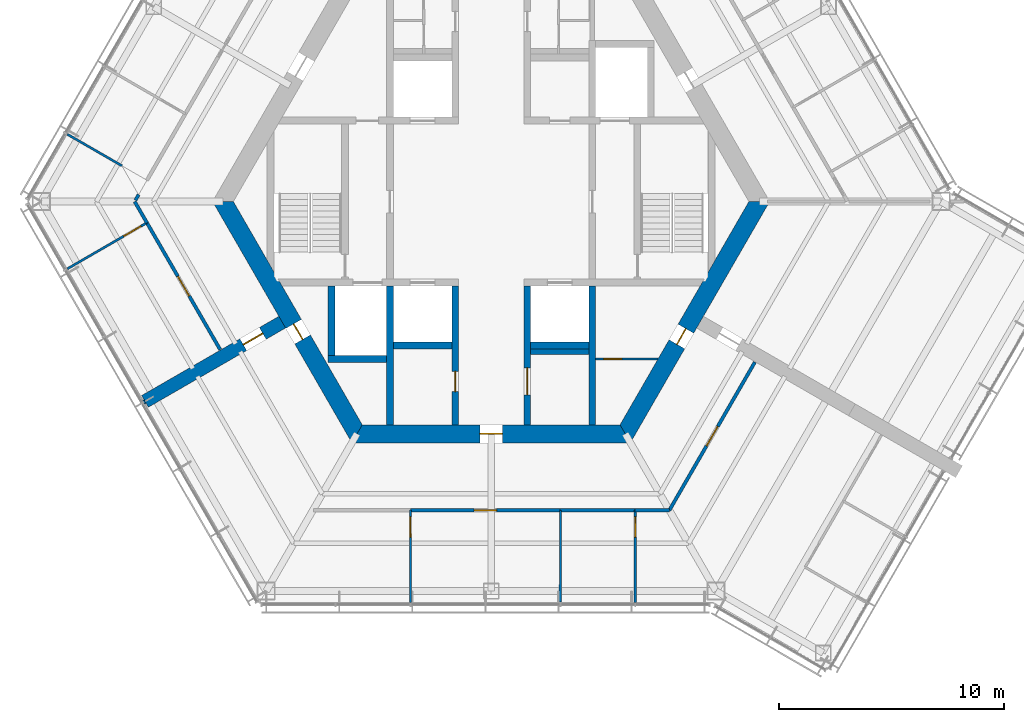
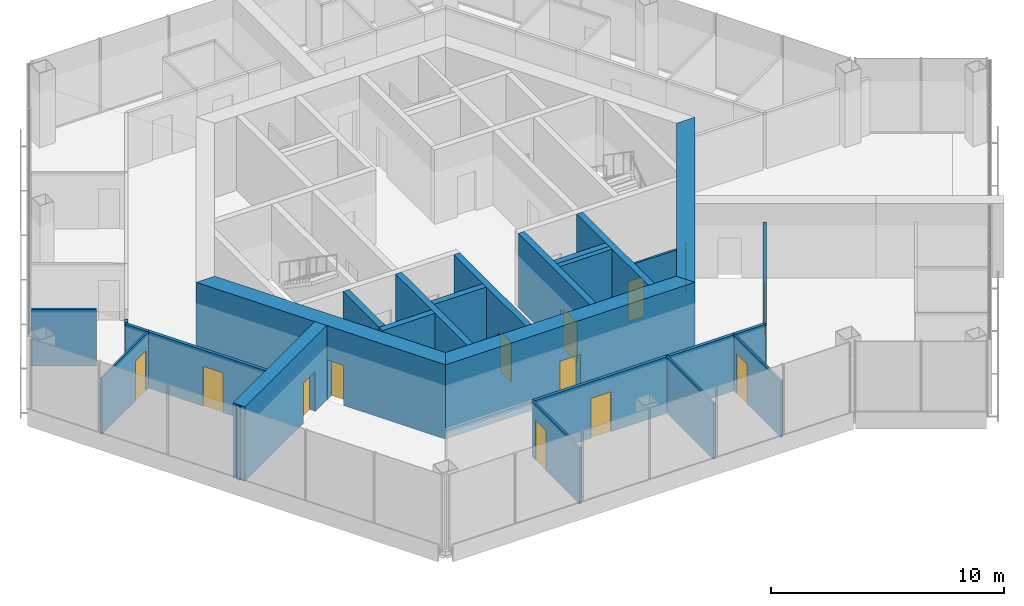
# One storey, part 7 of 13: 27 walls, 13 doors, 13 openings.
"""IFC4 building model written with IfcOpenShell, lengths in metres."""

from ifc_helpers import new_model, si_unit, direction, frame, frame_2d, origin, place, context, subcontext, project, spatial, polyline, rectangle, outline, extrude, material, layer, layer_set, type_object, element, fill, save


model = new_model("IFC4")

# Units and contexts
model_context = context("Model", 3, precision=1e-05, world=origin(), true_north=direction((0.0, 1.0)))
body_context = subcontext(model_context, "Body", "Model", "MODEL_VIEW")
ifc_project = project(units=[si_unit("LENGTHUNIT", "METRE"), si_unit("AREAUNIT", "SQUARE_METRE"), si_unit("VOLUMEUNIT", "CUBIC_METRE"), si_unit("PLANEANGLEUNIT", "RADIAN"), si_unit("MASSUNIT", "GRAM", prefix="KILO")], contexts=[model_context])

# Site, building, storey
site_placement = place(None, origin())
site = spatial("IfcSite", under=ifc_project, at=site_placement, CompositionType="ELEMENT")
building_placement = place(site_placement, origin())
building = spatial("IfcBuilding", under=site, at=building_placement, Name="Kasaneha Research Tower", CompositionType="ELEMENT")
storey_placement = place(building_placement, frame((0.0, 0.0, 275.199951171875)))
storey = spatial("IfcBuildingStorey", under=building, at=storey_placement, Name="L69", CompositionType="ELEMENT", Elevation=275.199951171875)

# Wall, opening, door
ifc_material_1 = material(Name="Concrete Fc60", Category="concrete")
ifc_layer_1 = layer(ifc_material_1, 0.300048828125)
ifc_layer_set_1 = layer_set([ifc_layer_1], Name="Core internal wall 300 Fc60")
wall_type_1 = type_object("IfcWallType", Name="Core internal wall 300 Fc60", PredefinedType="SHEAR", material=ifc_layer_set_1)
wall_1_placement = place(storey_placement, frame((-1.60009765625, -3.75, 0.0), z_axis=(0.0, 0.0, 1.0), x_axis=(0.0, -1.0, 0.0)))
wall_1 = element("IfcWall", 1, at=wall_1_placement, inside=storey, type_object=wall_type_1, Name="Core wall CSW L69", PredefinedType="SHEAR", context=body_context, shape_type="SweptSolid", body=[
    extrude(rectangle(XDim=6.175048828125, YDim=0.300048828125, at=frame_2d((3.08740234375, 0.0))), origin(), (0.0, 0.0, 1.0), 3.900146484375),
])
opening_1_placement = place(wall_1_placement, frame((3.800048828125, 0.0, 0.0)))
opening_1 = element("IfcOpeningElement", 2, at=opening_1_placement, cuts=wall_1, Name="Opening L69-D16", PredefinedType="OPENING", context=body_context, shape_type="SweptSolid", body=[
    extrude(rectangle(XDim=0.89990234375, YDim=2.10009765625, at=frame_2d((0.449951171875, 1.050048828125))), frame((0.0, 0.16015625, 0.0), z_axis=(0.0, -1.0, 0.0), x_axis=(1.0, 0.0, 0.0)), (0.0, 0.0, 1.0), 0.320068359375),
])
ifc_material_2 = material(Name="Steel", Category="steel")
door_type_1 = type_object("IfcDoorType", Name="Riser access door FD60 900x2100", OperationType="NOTDEFINED", PredefinedType="DOOR", material=ifc_material_2)
door_1_placement = place(opening_1_placement, origin())
door_1 = element("IfcDoor", 3, at=door_1_placement, inside=storey, type_object=door_type_1, Name="Electrical riser door L69-D16", OperationType="SINGLE_SWING_LEFT", OverallHeight=2.10009765625, OverallWidth=0.89990234375, PredefinedType="DOOR", context=body_context, shape_type="SweptSolid", body=[
    extrude(rectangle(XDim=0.89990234375, YDim=2.10009765625, at=frame_2d((0.449951171875, 1.050048828125))), frame((0.0, 0.02490234375, 0.0), z_axis=(0.0, -1.0, 0.0), x_axis=(1.0, 0.0, 0.0)), (0.0, 0.0, 1.0), 0.050048828125),
])
fill(opening_1, door_1)

wall_2_placement = place(storey_placement, frame((1.60009765625, -3.75, 0.0), z_axis=(0.0, 0.0, 1.0), x_axis=(0.0, -1.0, 0.0)))
wall_2 = element("IfcWall", 4, at=wall_2_placement, inside=storey, type_object=wall_type_1, Name="Core wall CSE L69", PredefinedType="SHEAR", context=body_context, shape_type="SweptSolid", body=[
    extrude(rectangle(XDim=6.175048828125, YDim=0.300048828125, at=frame_2d((3.08740234375, 0.0))), origin(), (0.0, 0.0, 1.0), 3.900146484375),
])
opening_2_placement = place(wall_2_placement, frame((3.64990234375, 0.0, 0.0)))
opening_2 = element("IfcOpeningElement", 5, at=opening_2_placement, cuts=wall_2, Name="Opening L69-D15", PredefinedType="OPENING", context=body_context, shape_type="SweptSolid", body=[
    extrude(rectangle(XDim=1.199951171875, YDim=2.10009765625, at=frame_2d((0.60009765625, 1.050048828125))), frame((0.0, 0.16015625, 0.0), z_axis=(0.0, -1.0, 0.0), x_axis=(1.0, 0.0, 0.0)), (0.0, 0.0, 1.0), 0.320068359375),
])
ifc_material_3 = material(Name="Steel", Category="steel")
door_type_2 = type_object("IfcDoorType", Name="Accessible toilet sliding door FD20 1200x2100", OperationType="SLIDING_TO_LEFT", PredefinedType="DOOR", material=ifc_material_3)
door_2_placement = place(opening_2_placement, origin())
door_2 = element("IfcDoor", 6, at=door_2_placement, inside=storey, type_object=door_type_2, Name="Accessible WC door L69-D15", OperationType="SLIDING_TO_LEFT", OverallHeight=2.10009765625, OverallWidth=1.199951171875, PredefinedType="DOOR", context=body_context, shape_type="SweptSolid", body=[
    extrude(rectangle(XDim=1.199951171875, YDim=2.10009765625, at=frame_2d((0.60009765625, 1.050048828125))), frame((0.0, 0.02490234375, 0.0), z_axis=(0.0, -1.0, 0.0), x_axis=(1.0, 0.0, 0.0)), (0.0, 0.0, 1.0), 0.050048828125),
])
fill(opening_2, door_2)

# Walls
for number, where, z_axis, x_axis, name in (
    (7, (-4.5, -3.75, 0.0), (0.0, 0.0, 1.0), (0.0, -1.0, 0.0), "Core wall SSW L69"),
    (8, (4.5, -3.75, 0.0), (0.0, 0.0, 1.0), (0.0, -1.0, 0.0), "Core wall SSE L69"),
):
    element("IfcWall", number, at=place(storey_placement, frame(where, z_axis=z_axis, x_axis=x_axis)), inside=storey, type_object=wall_type_1, Name=name, PredefinedType="SHEAR", context=body_context, shape_type="SweptSolid", body=[
        extrude(rectangle(XDim=6.175048828125, YDim=0.300048828125, at=frame_2d((3.08740234375, 0.0))), origin(), (0.0, 0.0, 1.0), 3.900146484375),
    ])
for number, where, z_axis, x_axis, name in (
    (9, (-4.35009765625, -6.39990234375, 0.0), (0.0, 0.0, 1.0), (1.0, 0.0, 0.0), "Core wall S1S L69"),
    (10, (1.75, -6.39990234375, 0.0), (0.0, 0.0, 1.0), (1.0, 0.0, 0.0), "Core wall S3S L69"),
    (11, (-7.25, -7.0, 0.0), (0.0, 0.0, 1.0), (1.0, 0.0, 0.0), "Core wall F2S L69"),
):
    element("IfcWall", number, at=place(storey_placement, frame(where, z_axis=z_axis, x_axis=x_axis)), inside=storey, type_object=wall_type_1, Name=name, PredefinedType="SHEAR", context=body_context, shape_type="SweptSolid", body=[
        extrude(rectangle(XDim=2.60009765625, YDim=0.300048828125, at=frame_2d((1.300048828125, 0.0))), origin(), (0.0, 0.0, 1.0), 3.900146484375),
    ])
wall_3_placement = place(storey_placement, frame((-7.10009765625, -3.75, 0.0), z_axis=(0.0, 0.0, 1.0), x_axis=(0.0, -1.0, 0.0)))
element("IfcWall", 12, at=wall_3_placement, inside=storey, type_object=wall_type_1, Name="Core wall F2W L69", PredefinedType="SHEAR", context=body_context, shape_type="SweptSolid", body=[
    extrude(rectangle(XDim=3.10009765625, YDim=0.300048828125, at=frame_2d((1.550048828125, 0.0))), origin(), (0.0, 0.0, 1.0), 3.900146484375),
])

# Wall, opening, door
ifc_material_4 = material(Name="Concrete Fc60", Category="concrete")
ifc_layer_2 = layer(ifc_material_4, 0.800048828125)
ifc_layer_set_2 = layer_set([ifc_layer_2], Name="Core wall 800 Fc60")
wall_type_2 = type_object("IfcWallType", Name="Core wall 800 Fc60", PredefinedType="SHEAR", material=ifc_layer_set_2)
wall_4_placement = place(storey_placement, frame((-11.92236328125, 0.0, 0.0), z_axis=(0.0, 0.0, 1.0), x_axis=(0.500004296715, -0.866022923061, 0.0)))
wall_4 = element("IfcWall", 13, at=wall_4_placement, inside=storey, type_object=wall_type_2, Name="Core wall 210 L69", PredefinedType="SHEAR", context=body_context, shape_type="SweptSolid", body=[
    extrude(outline(polyline([(-0.23095703125, -0.39990234375), (6.28125, -0.39990234375), (7.081298828125, -0.39990234375), (12.1533203125, -0.39990234375), (11.69140625, 0.39990234375), (7.081298828125, 0.39990234375), (6.28125, 0.39990234375), (0.23095703125, 0.39990234375), (-0.23095703125, -0.39990234375)])), origin(), (0.0, 0.0, 1.0), 3.900146484375),
])
opening_3_placement = place(wall_4_placement, frame((6.28125, 0.0, 0.0)))
opening_3 = element("IfcOpeningElement", 14, at=opening_3_placement, cuts=wall_4, Name="Opening L69-D06", PredefinedType="OPENING", context=body_context, shape_type="SweptSolid", body=[
    extrude(rectangle(XDim=0.800048828125, YDim=2.10009765625, at=frame_2d((0.39990234375, 1.050048828125))), frame((0.0, 0.41015625, 0.0), z_axis=(0.0, -1.0, 0.0), x_axis=(1.0, 0.0, 0.0)), (0.0, 0.0, 1.0), 0.820068359375),
])
ifc_material_5 = material(Name="Steel", Category="steel")
door_type_3 = type_object("IfcDoorType", Name="Riser access door FD60 800x2100", OperationType="NOTDEFINED", PredefinedType="DOOR", material=ifc_material_5)
door_3_placement = place(opening_3_placement, origin())
door_3 = element("IfcDoor", 15, at=door_3_placement, inside=storey, type_object=door_type_3, Name="Duct riser door L69-D06", OperationType="SINGLE_SWING_RIGHT", OverallHeight=2.10009765625, OverallWidth=0.800048828125, PredefinedType="DOOR", context=body_context, shape_type="SweptSolid", body=[
    extrude(rectangle(XDim=0.800048828125, YDim=2.10009765625, at=frame_2d((0.39990234375, 1.050048828125))), frame((0.0, 0.02490234375, 0.0), z_axis=(0.0, -1.0, 0.0), x_axis=(1.0, 0.0, 0.0)), (0.0, 0.0, 1.0), 0.050048828125),
])
fill(opening_3, door_3)

wall_5_placement = place(storey_placement, frame((-5.961181640625, -10.324951171875, 0.0), z_axis=(0.0, 0.0, 1.0), x_axis=(1.0, 0.0, 0.0)))
wall_5 = element("IfcWall", 16, at=wall_5_placement, inside=storey, type_object=wall_type_2, Name="Core wall 270 L69", PredefinedType="SHEAR", context=body_context, shape_type="SweptSolid", body=[
    extrude(outline(polyline([(-0.23095703125, -0.39990234375), (5.461181640625, -0.39990234375), (6.461181640625, -0.39990234375), (12.1533203125, -0.39990234375), (11.69140625, 0.39990234375), (6.461181640625, 0.39990234375), (5.461181640625, 0.39990234375), (0.23095703125, 0.39990234375), (-0.23095703125, -0.39990234375)])), origin(), (0.0, 0.0, 1.0), 3.900146484375),
])
opening_4_placement = place(wall_5_placement, frame((5.461181640625, 0.0, 0.0)))
opening_4 = element("IfcOpeningElement", 17, at=opening_4_placement, cuts=wall_5, Name="Opening L69-D03", PredefinedType="OPENING", context=body_context, shape_type="SweptSolid", body=[
    extrude(rectangle(XDim=1.0, YDim=2.10009765625, at=frame_2d((0.5, 1.050048828125))), frame((0.0, 0.41015625, 0.0), z_axis=(0.0, -1.0, 0.0), x_axis=(1.0, 0.0, 0.0)), (0.0, 0.0, 1.0), 0.820068359375),
])
ifc_material_6 = material(Name="Steel", Category="steel")
door_type_4 = type_object("IfcDoorType", Name="Fire door FD20 1000x2100", OperationType="NOTDEFINED", PredefinedType="DOOR", material=ifc_material_6)
door_4_placement = place(opening_4_placement, origin())
door_4 = element("IfcDoor", 18, at=door_4_placement, inside=storey, type_object=door_type_4, Name="Core door south L69-D03", OperationType="SINGLE_SWING_LEFT", OverallHeight=2.10009765625, OverallWidth=1.0, PredefinedType="DOOR", context=body_context, shape_type="SweptSolid", body=[
    extrude(rectangle(XDim=1.0, YDim=2.10009765625, at=frame_2d((0.5, 1.050048828125))), frame((0.0, 0.02490234375, 0.0), z_axis=(0.0, -1.0, 0.0), x_axis=(1.0, 0.0, 0.0)), (0.0, 0.0, 1.0), 0.050048828125),
])
fill(opening_4, door_4)

wall_6_placement = place(storey_placement, frame((5.961181640625, -10.324951171875, 0.0), z_axis=(0.0, 0.0, 1.0), x_axis=(0.500004296715, 0.866022923061, 0.0)))
wall_6 = element("IfcWall", 19, at=wall_6_placement, inside=storey, type_object=wall_type_2, Name="Core wall 330 L69", PredefinedType="SHEAR", context=body_context, shape_type="SweptSolid", body=[
    extrude(outline(polyline([(-0.23095703125, -0.39990234375), (4.593994140625, -0.39990234375), (5.39404296875, -0.39990234375), (12.1533203125, -0.39990234375), (11.69140625, 0.39990234375), (5.39404296875, 0.39990234375), (4.593994140625, 0.39990234375), (0.23095703125, 0.39990234375), (-0.23095703125, -0.39990234375)])), origin(), (0.0, 0.0, 1.0), 3.900146484375),
])
opening_5_placement = place(wall_6_placement, frame((4.593994140625, 0.0, 0.0)))
opening_5 = element("IfcOpeningElement", 20, at=opening_5_placement, cuts=wall_6, Name="Opening L69-D05", PredefinedType="OPENING", context=body_context, shape_type="SweptSolid", body=[
    extrude(rectangle(XDim=0.800048828125, YDim=2.10009765625, at=frame_2d((0.39990234375, 1.050048828125))), frame((0.0, 0.41015625, 0.0), z_axis=(0.0, -1.0, 0.0), x_axis=(1.0, 0.0, 0.0)), (0.0, 0.0, 1.0), 0.820068359375),
])
door_5_placement = place(opening_5_placement, origin())
door_5 = element("IfcDoor", 21, at=door_5_placement, inside=storey, type_object=door_type_3, Name="Pipe riser door L69-D05", OperationType="SINGLE_SWING_LEFT", OverallHeight=2.10009765625, OverallWidth=0.800048828125, PredefinedType="DOOR", context=body_context, shape_type="SweptSolid", body=[
    extrude(rectangle(XDim=0.800048828125, YDim=2.10009765625, at=frame_2d((0.39990234375, 1.050048828125))), frame((0.0, 0.02490234375, 0.0), z_axis=(0.0, -1.0, 0.0), x_axis=(1.0, 0.0, 0.0)), (0.0, 0.0, 1.0), 0.050048828125),
])
fill(opening_5, door_5)

ifc_material_7 = material(Name="Gypsum board on steel studs, one layer each side", Category="steel")
ifc_layer_3 = layer(ifc_material_7, 0.10009765625)
ifc_layer_set_3 = layer_set([ifc_layer_3], Name="Office partition 100")
wall_type_3 = type_object("IfcWallType", Name="Office partition 100", PredefinedType="PARTITIONING", material=ifc_layer_set_3)
wall_7_placement = place(storey_placement, frame((4.64990234375, -7.0, 0.0), z_axis=(0.0, 0.0, 1.0), x_axis=(1.0, 0.0, 0.0)))
wall_7 = element("IfcWall", 22, at=wall_7_placement, inside=storey, type_object=wall_type_3, Name="Office partition RS-SE L69", PredefinedType="PARTITIONING", context=body_context, shape_type="SweptSolid", body=[
    extrude(outline(polyline([(0.0, -0.050048828125), (0.35009765625, -0.050048828125), (1.150146484375, -0.050048828125), (2.740234375, -0.050048828125), (2.76904296875, 0.0), (2.77490234375, 0.050048828125), (1.150146484375, 0.050048828125), (0.35009765625, 0.050048828125), (0.0, 0.050048828125), (0.0, -0.050048828125)])), origin(), (0.0, 0.0, 1.0), 2.949951171875),
])
opening_6_placement = place(wall_7_placement, frame((0.35009765625, 0.0, 0.0)))
opening_6 = element("IfcOpeningElement", 23, at=opening_6_placement, cuts=wall_7, Name="Opening L69-D25", PredefinedType="OPENING", context=body_context, shape_type="SweptSolid", body=[
    extrude(rectangle(XDim=0.800048828125, YDim=2.10009765625, at=frame_2d((0.39990234375, 1.050048828125))), frame((0.0, 0.06005859375, 0.0), z_axis=(0.0, -1.0, 0.0), x_axis=(1.0, 0.0, 0.0)), (0.0, 0.0, 1.0), 0.1201171875),
])
door_6_placement = place(opening_6_placement, origin())
door_6 = element("IfcDoor", 24, at=door_6_placement, inside=storey, type_object=door_type_3, Name="Drainage riser door L69-D25", OperationType="SINGLE_SWING_LEFT", OverallHeight=2.10009765625, OverallWidth=0.800048828125, PredefinedType="DOOR", context=body_context, shape_type="SweptSolid", body=[
    extrude(rectangle(XDim=0.800048828125, YDim=2.10009765625, at=frame_2d((0.39990234375, 1.050048828125))), frame((0.0, 0.02490234375, 0.0), z_axis=(0.0, -1.0, 0.0), x_axis=(1.0, 0.0, 0.0)), (0.0, 0.0, 1.0), 0.050048828125),
])
fill(opening_6, door_6)

# Wall
wall_8_placement = place(storey_placement, frame((-16.4130859375, 1.58837890625, 0.0), z_axis=(0.0, 0.0, 1.0), x_axis=(-0.866020185298, 0.500009038574, 0.0)))
element("IfcWall", 25, at=wall_8_placement, inside=storey, type_object=wall_type_3, Name="Office partition FBN07 L69", PredefinedType="PARTITIONING", context=body_context, shape_type="SweptSolid", body=[
    extrude(rectangle(XDim=2.80224609375, YDim=0.10009765625, at=frame_2d((1.401123046875, 0.0))), origin(), (0.0, 0.0, 1.0), 2.949951171875),
])

# Wall, opening, door
wall_9_placement = place(storey_placement, frame((-15.303955078125, -0.94287109375, 0.0), z_axis=(0.0, 0.0, 1.0), x_axis=(-0.865475377125, -0.500951466301, 0.0)))
wall_9 = element("IfcWall", 26, at=wall_9_placement, inside=storey, type_object=wall_type_3, Name="Office partition FBN10 L69", PredefinedType="PARTITIONING", context=body_context, shape_type="SweptSolid", body=[
    extrude(rectangle(XDim=4.08544921875, YDim=0.10009765625, at=frame_2d((2.042724609375, 0.0))), origin(), (0.0, 0.0, 1.0), 2.949951171875),
])
opening_7_placement = place(wall_9_placement, frame((0.300048828125, 0.0, 0.0)))
opening_7 = element("IfcOpeningElement", 27, at=opening_7_placement, cuts=wall_9, Name="Opening L69-D38", PredefinedType="OPENING", context=body_context, shape_type="SweptSolid", body=[
    extrude(rectangle(XDim=0.89990234375, YDim=2.10009765625, at=frame_2d((0.449951171875, 1.050048828125))), frame((0.0, 0.06005859375, 0.0), z_axis=(0.0, -1.0, 0.0), x_axis=(1.0, 0.0, 0.0)), (0.0, 0.0, 1.0), 0.1201171875),
])
ifc_material_8 = material(Name="Timber veneer", Category="wood")
door_type_5 = type_object("IfcDoorType", Name="Office door 900x2100", OperationType="SINGLE_SWING_LEFT", PredefinedType="DOOR", material=ifc_material_8)
door_7_placement = place(opening_7_placement, origin())
door_7 = element("IfcDoor", 28, at=door_7_placement, inside=storey, type_object=door_type_5, Name="Workroom door L69-D38", OperationType="SINGLE_SWING_LEFT", OverallHeight=2.10009765625, OverallWidth=0.89990234375, PredefinedType="DOOR", context=body_context, shape_type="SweptSolid", body=[
    extrude(rectangle(XDim=0.89990234375, YDim=2.10009765625, at=frame_2d((0.449951171875, 1.050048828125))), frame((0.0, 0.02490234375, 0.0), z_axis=(0.0, -1.0, 0.0), x_axis=(1.0, 0.0, 0.0)), (0.0, 0.0, 1.0), 0.050048828125),
])
fill(opening_7, door_7)

wall_10_placement = place(storey_placement, frame((-3.589111328125, -13.72509765625, 0.0), z_axis=(0.0, 0.0, 1.0), x_axis=(0.001128533375, -0.999999363206, 0.0)))
wall_10 = element("IfcWall", 29, at=wall_10_placement, inside=storey, type_object=wall_type_3, Name="Office partition FCS06 L69", PredefinedType="PARTITIONING", context=body_context, shape_type="SweptSolid", body=[
    extrude(rectangle(XDim=4.1103515625, YDim=0.10009765625, at=frame_2d((2.05517578125, 0.0))), origin(), (0.0, 0.0, 1.0), 2.949951171875),
])
opening_8_placement = place(wall_10_placement, frame((0.300048828125, 0.0, 0.0)))
opening_8 = element("IfcOpeningElement", 30, at=opening_8_placement, cuts=wall_10, Name="Opening L69-D41", PredefinedType="OPENING", context=body_context, shape_type="SweptSolid", body=[
    extrude(rectangle(XDim=0.89990234375, YDim=2.10009765625, at=frame_2d((0.449951171875, 1.050048828125))), frame((0.0, 0.06005859375, 0.0), z_axis=(0.0, -1.0, 0.0), x_axis=(1.0, 0.0, 0.0)), (0.0, 0.0, 1.0), 0.1201171875),
])
door_8_placement = place(opening_8_placement, origin())
door_8 = element("IfcDoor", 31, at=door_8_placement, inside=storey, type_object=door_type_5, Name="Reading room door L69-D41", OperationType="SINGLE_SWING_LEFT", OverallHeight=2.10009765625, OverallWidth=0.89990234375, PredefinedType="DOOR", context=body_context, shape_type="SweptSolid", body=[
    extrude(rectangle(XDim=0.89990234375, YDim=2.10009765625, at=frame_2d((0.449951171875, 1.050048828125))), frame((0.0, 0.02490234375, 0.0), z_axis=(0.0, -1.0, 0.0), x_axis=(1.0, 0.0, 0.0)), (0.0, 0.0, 1.0), 0.050048828125),
])
fill(opening_8, door_8)

wall_11_placement = place(storey_placement, frame((6.40380859375, -13.72509765625, 0.0), z_axis=(0.0, 0.0, 1.0), x_axis=(0.001128533375, -0.999999363206, 0.0)))
wall_11 = element("IfcWall", 32, at=wall_11_placement, inside=storey, type_object=wall_type_3, Name="Office partition FCS07 L69", PredefinedType="PARTITIONING", context=body_context, shape_type="SweptSolid", body=[
    extrude(rectangle(XDim=4.1103515625, YDim=0.10009765625, at=frame_2d((2.05517578125, 0.0))), origin(), (0.0, 0.0, 1.0), 2.949951171875),
])
opening_9_placement = place(wall_11_placement, frame((0.300048828125, 0.0, 0.0)))
opening_9 = element("IfcOpeningElement", 33, at=opening_9_placement, cuts=wall_11, Name="Opening L69-D42", PredefinedType="OPENING", context=body_context, shape_type="SweptSolid", body=[
    extrude(rectangle(XDim=0.89990234375, YDim=2.10009765625, at=frame_2d((0.449951171875, 1.050048828125))), frame((0.0, 0.06005859375, 0.0), z_axis=(0.0, -1.0, 0.0), x_axis=(1.0, 0.0, 0.0)), (0.0, 0.0, 1.0), 0.1201171875),
])
door_9_placement = place(opening_9_placement, origin())
door_9 = element("IfcDoor", 34, at=door_9_placement, inside=storey, type_object=door_type_5, Name="Workroom door L69-D42", OperationType="SINGLE_SWING_LEFT", OverallHeight=2.10009765625, OverallWidth=0.89990234375, PredefinedType="DOOR", context=body_context, shape_type="SweptSolid", body=[
    extrude(rectangle(XDim=0.89990234375, YDim=2.10009765625, at=frame_2d((0.449951171875, 1.050048828125))), frame((0.0, 0.02490234375, 0.0), z_axis=(0.0, -1.0, 0.0), x_axis=(1.0, 0.0, 0.0)), (0.0, 0.0, 1.0), 0.050048828125),
])
fill(opening_9, door_9)

# Wall
wall_12_placement = place(storey_placement, frame((3.077392578125, -17.800537109375, 0.0), z_axis=(0.0, 0.0, 1.0), x_axis=(0.001078295665, 0.999999418639, 0.0)))
element("IfcWall", 35, at=wall_12_placement, inside=storey, type_object=wall_type_3, Name="Office partition FCS08 L69", PredefinedType="PARTITIONING", context=body_context, shape_type="SweptSolid", body=[
    extrude(rectangle(XDim=4.075439453125, YDim=0.10009765625, at=frame_2d((2.03759765625, 0.0))), origin(), (0.0, 0.0, 1.0), 2.949951171875),
])

# Wall, opening, door
ifc_material_9 = material(Name="Concrete Fc60", Category="concrete")
ifc_layer_4 = layer(ifc_material_9, 0.60009765625)
ifc_layer_set_4 = layer_set([ifc_layer_4], Name="Spine wall 600 Fc60")
wall_type_4 = type_object("IfcWallType", Name="Spine wall 600 Fc60", PredefinedType="SHEAR", material=ifc_layer_set_4)
wall_13_placement = place(storey_placement, frame((-9.2880859375, -5.362548828125, 0.0), z_axis=(0.0, 0.0, 1.0), x_axis=(-0.866027473358, -0.499996415376, 0.0)))
wall_13 = element("IfcWall", 36, at=wall_13_placement, inside=storey, type_object=wall_type_4, Name="Spine wall B L69", PredefinedType="SHEAR", context=body_context, shape_type="SweptSolid", body=[
    extrude(rectangle(XDim=7.04541015625, YDim=0.60009765625, at=frame_2d((3.522705078125, 0.0))), origin(), (0.0, 0.0, 1.0), 3.900146484375),
])
opening_10_placement = place(wall_13_placement, frame((1.0, 0.0, 0.0)))
opening_10 = element("IfcOpeningElement", 37, at=opening_10_placement, cuts=wall_13, Name="Opening L69-D19", PredefinedType="OPENING", context=body_context, shape_type="SweptSolid", body=[
    extrude(rectangle(XDim=1.0, YDim=2.10009765625, at=frame_2d((0.5, 1.050048828125))), frame((0.0, 0.31005859375, 0.0), z_axis=(0.0, -1.0, 0.0), x_axis=(1.0, 0.0, 0.0)), (0.0, 0.0, 1.0), 0.6201171875),
])
ifc_material_10 = material(Name="Steel", Category="steel")
door_type_6 = type_object("IfcDoorType", Name="Specified fire door FD60 1000x2100", OperationType="NOTDEFINED", PredefinedType="DOOR", material=ifc_material_10)
door_10_placement = place(opening_10_placement, origin())
door_10 = element("IfcDoor", 38, at=door_10_placement, inside=storey, type_object=door_type_6, Name="Spine doorway B L69-D19", OperationType="SINGLE_SWING_LEFT", OverallHeight=2.10009765625, OverallWidth=1.0, PredefinedType="DOOR", context=body_context, shape_type="SweptSolid", body=[
    extrude(rectangle(XDim=1.0, YDim=2.10009765625, at=frame_2d((0.5, 1.050048828125))), frame((0.0, 0.02490234375, 0.0), z_axis=(0.0, -1.0, 0.0), x_axis=(1.0, 0.0, 0.0)), (0.0, 0.0, 1.0), 0.050048828125),
])
fill(opening_10, door_10)

# Walls
ifc_material_11 = material(Name="Gypsum board on steel studs, two layers each side", Category="steel")
ifc_layer_5 = layer(ifc_material_11, 0.14990234375)
ifc_layer_set_5 = layer_set([ifc_layer_5], Name="Suite partition 150")
wall_type_5 = type_object("IfcWallType", Name="Suite partition 150", PredefinedType="PARTITIONING", material=ifc_layer_set_5)
wall_14_placement = place(storey_placement, frame((-15.81591796875, 0.056396484375, 0.0), z_axis=(0.0, 0.0, 1.0), x_axis=(0.500801637523, 0.865562083189, 0.0)))
element("IfcWall", 39, at=wall_14_placement, inside=storey, type_object=wall_type_5, Name="Suite partition FBN03 L69", PredefinedType="PARTITIONING", context=body_context, shape_type="SweptSolid", body=[
    extrude(rectangle(XDim=0.287109375, YDim=0.14990234375, at=frame_2d((0.1435546875, 0.0))), origin(), (0.0, 0.0, 1.0), 2.949951171875),
])
wall_15_placement = place(storey_placement, frame((-15.29931640625, -0.951171875, 0.0), z_axis=(0.0, 0.0, 1.0), x_axis=(-0.499940538003, 0.866059731463, 0.0)))
element("IfcWall", 40, at=wall_15_placement, inside=storey, type_object=wall_type_5, Name="Suite partition FBN04 L69", PredefinedType="PARTITIONING", context=body_context, shape_type="SweptSolid", body=[
    extrude(rectangle(XDim=1.098388671875, YDim=0.14990234375, at=frame_2d((0.54931640625, 0.0))), origin(), (0.0, 0.0, 1.0), 2.949951171875),
])

# Wall, opening, door
wall_16_placement = place(storey_placement, frame((-12.046142578125, -6.58544921875, 0.0), z_axis=(0.0, 0.0, 1.0), x_axis=(-0.500007885066, 0.866020851292, 0.0)))
wall_16 = element("IfcWall", 41, at=wall_16_placement, inside=storey, type_object=wall_type_5, Name="Suite partition FBN06 L69", PredefinedType="PARTITIONING", context=body_context, shape_type="SweptSolid", body=[
    extrude(rectangle(XDim=6.515625, YDim=0.14990234375, at=frame_2d((3.2578125, 0.0))), origin(), (0.0, 0.0, 1.0), 2.949951171875),
])
opening_11_placement = place(wall_16_placement, frame((2.7578125, 0.0, 0.0)))
opening_11 = element("IfcOpeningElement", 42, at=opening_11_placement, cuts=wall_16, Name="Opening L69-D35", PredefinedType="OPENING", context=body_context, shape_type="SweptSolid", body=[
    extrude(rectangle(XDim=1.0, YDim=2.10009765625, at=frame_2d((0.5, 1.050048828125))), frame((0.0, 0.0849609375, 0.0), z_axis=(0.0, -1.0, 0.0), x_axis=(1.0, 0.0, 0.0)), (0.0, 0.0, 1.0), 0.169921875),
])
ifc_material_12 = material(Name="Steel", Category="steel")
door_type_7 = type_object("IfcDoorType", Name="Suite entrance door FD60 1000x2100", OperationType="NOTDEFINED", PredefinedType="DOOR", material=ifc_material_12)
door_11_placement = place(opening_11_placement, origin())
door_11 = element("IfcDoor", 43, at=door_11_placement, inside=storey, type_object=door_type_7, Name="Suite entrance door L69-D35", OperationType="SINGLE_SWING_RIGHT", OverallHeight=2.10009765625, OverallWidth=1.0, PredefinedType="DOOR", context=body_context, shape_type="SweptSolid", body=[
    extrude(rectangle(XDim=1.0, YDim=2.10009765625, at=frame_2d((0.5, 1.050048828125))), frame((0.0, 0.02490234375, 0.0), z_axis=(0.0, -1.0, 0.0), x_axis=(1.0, 0.0, 0.0)), (0.0, 0.0, 1.0), 0.050048828125),
])
fill(opening_11, door_11)

# Walls
wall_17_placement = place(storey_placement, frame((6.413330078125, -13.72509765625, 0.0), z_axis=(0.0, 0.0, 1.0), x_axis=(-1.0, 0.0, 0.0)))
element("IfcWall", 44, at=wall_17_placement, inside=storey, type_object=wall_type_5, Name="Suite partition FCS02 L69", PredefinedType="PARTITIONING", context=body_context, shape_type="SweptSolid", body=[
    extrude(rectangle(XDim=3.3408203125, YDim=0.14990234375, at=frame_2d((1.67041015625, 0.0))), origin(), (0.0, 0.0, 1.0), 2.949951171875),
])
wall_18_placement = place(storey_placement, frame((7.924072265625, -13.72509765625, 0.0), z_axis=(0.0, 0.0, 1.0), x_axis=(-1.0, 0.0, 0.0)))
element("IfcWall", 45, at=wall_18_placement, inside=storey, type_object=wall_type_5, Name="Suite partition FCS03 L69", PredefinedType="PARTITIONING", context=body_context, shape_type="SweptSolid", body=[
    extrude(rectangle(XDim=1.520263671875, YDim=0.14990234375, at=frame_2d((0.76025390625, 0.0))), origin(), (0.0, 0.0, 1.0), 2.949951171875),
])

# Wall, opening, door
wall_19_placement = place(storey_placement, frame((11.726318359375, -7.1396484375, 0.0), z_axis=(0.0, 0.0, 1.0), x_axis=(-0.500013335957, -0.866017704129, 0.0)))
wall_19 = element("IfcWall", 46, at=wall_19_placement, inside=storey, type_object=wall_type_5, Name="Suite partition FCS04 L69", PredefinedType="PARTITIONING", context=body_context, shape_type="SweptSolid", body=[
    extrude(rectangle(XDim=7.604248046875, YDim=0.14990234375, at=frame_2d((3.80224609375, 0.0))), origin(), (0.0, 0.0, 1.0), 2.949951171875),
])
opening_12_placement = place(wall_19_placement, frame((3.302001953125, 0.0, 0.0)))
opening_12 = element("IfcOpeningElement", 47, at=opening_12_placement, cuts=wall_19, Name="Opening L69-D39", PredefinedType="OPENING", context=body_context, shape_type="SweptSolid", body=[
    extrude(rectangle(XDim=1.0, YDim=2.10009765625, at=frame_2d((0.5, 1.050048828125))), frame((0.0, 0.0849609375, 0.0), z_axis=(0.0, -1.0, 0.0), x_axis=(1.0, 0.0, 0.0)), (0.0, 0.0, 1.0), 0.169921875),
])
door_12_placement = place(opening_12_placement, origin())
door_12 = element("IfcDoor", 48, at=door_12_placement, inside=storey, type_object=door_type_7, Name="Suite entrance door L69-D39", OperationType="SINGLE_SWING_LEFT", OverallHeight=2.10009765625, OverallWidth=1.0, PredefinedType="DOOR", context=body_context, shape_type="SweptSolid", body=[
    extrude(rectangle(XDim=1.0, YDim=2.10009765625, at=frame_2d((0.5, 1.050048828125))), frame((0.0, 0.02490234375, 0.0), z_axis=(0.0, -1.0, 0.0), x_axis=(1.0, 0.0, 0.0)), (0.0, 0.0, 1.0), 0.050048828125),
])
fill(opening_12, door_12)

wall_20_placement = place(storey_placement, frame((3.081787109375, -13.72509765625, 0.0), z_axis=(0.0, 0.0, 1.0), x_axis=(-1.0, 0.0, 0.0)))
wall_20 = element("IfcWall", 49, at=wall_20_placement, inside=storey, type_object=wall_type_5, Name="Suite partition FCS05 L69", PredefinedType="PARTITIONING", context=body_context, shape_type="SweptSolid", body=[
    extrude(rectangle(XDim=6.6708984375, YDim=0.14990234375, at=frame_2d((3.33544921875, 0.0))), origin(), (0.0, 0.0, 1.0), 2.949951171875),
])
opening_13_placement = place(wall_20_placement, frame((2.83544921875, 0.0, 0.0)))
opening_13 = element("IfcOpeningElement", 50, at=opening_13_placement, cuts=wall_20, Name="Opening L69-D40", PredefinedType="OPENING", context=body_context, shape_type="SweptSolid", body=[
    extrude(rectangle(XDim=1.0, YDim=2.10009765625, at=frame_2d((0.5, 1.050048828125))), frame((0.0, 0.0849609375, 0.0), z_axis=(0.0, -1.0, 0.0), x_axis=(1.0, 0.0, 0.0)), (0.0, 0.0, 1.0), 0.169921875),
])
door_13_placement = place(opening_13_placement, origin())
door_13 = element("IfcDoor", 51, at=door_13_placement, inside=storey, type_object=door_type_7, Name="Suite entrance door L69-D40", OperationType="SINGLE_SWING_LEFT", OverallHeight=2.10009765625, OverallWidth=1.0, PredefinedType="DOOR", context=body_context, shape_type="SweptSolid", body=[
    extrude(rectangle(XDim=1.0, YDim=2.10009765625, at=frame_2d((0.5, 1.050048828125))), frame((0.0, 0.02490234375, 0.0), z_axis=(0.0, -1.0, 0.0), x_axis=(1.0, 0.0, 0.0)), (0.0, 0.0, 1.0), 0.050048828125),
])
fill(opening_13, door_13)

# Walls
ifc_material_13 = material(Name="Gypsum board on steel studs, two layers each side", Category="steel")
ifc_layer_6 = layer(ifc_material_13, 0.175048828125)
ifc_layer_set_6 = layer_set([ifc_layer_6], Name="Tenancy fire partition 175")
wall_type_6 = type_object("IfcWallType", Name="Tenancy fire partition 175", PredefinedType="PARTITIONING", material=ifc_layer_set_6)
wall_21_placement = place(storey_placement, frame((-15.3896484375, -8.88525390625, 0.0), z_axis=(0.0, 0.0, 1.0), x_axis=(-0.866622456874, -0.498964444867, 0.0)))
element("IfcWall", 52, at=wall_21_placement, inside=storey, type_object=wall_type_6, Name="Spine wall closer SW4-600 L69", PredefinedType="PARTITIONING", context=body_context, shape_type="SweptSolid", body=[
    extrude(rectangle(XDim=0.065185546875, YDim=0.175048828125, at=frame_2d((0.03271484375, 0.0))), origin(), (0.0, 0.0, 1.0), 3.900146484375),
])
ifc_material_14 = material(Name="Concrete block lining", Category="concrete")
ifc_layer_7 = layer(ifc_material_14, 0.25)
ifc_layer_set_7 = layer_set([ifc_layer_7], Name="WC plumbing wall 250")
wall_type_7 = type_object("IfcWallType", Name="WC plumbing wall 250", PredefinedType="PLUMBINGWALL", material=ifc_layer_set_7)
wall_22_placement = place(storey_placement, frame((1.75, -6.675048828125, 0.0), z_axis=(0.0, 0.0, 1.0), x_axis=(1.0, 0.0, 0.0)))
element("IfcWall", 53, at=wall_22_placement, inside=storey, type_object=wall_type_7, Name="WC plumbing wall A L69", PredefinedType="PLUMBINGWALL", context=body_context, shape_type="SweptSolid", body=[
    extrude(rectangle(XDim=2.60009765625, YDim=0.25, at=frame_2d((1.300048828125, 0.0))), origin(), (0.0, 0.0, 1.0), 3.900146484375),
])

save(model, "model.ifc")
